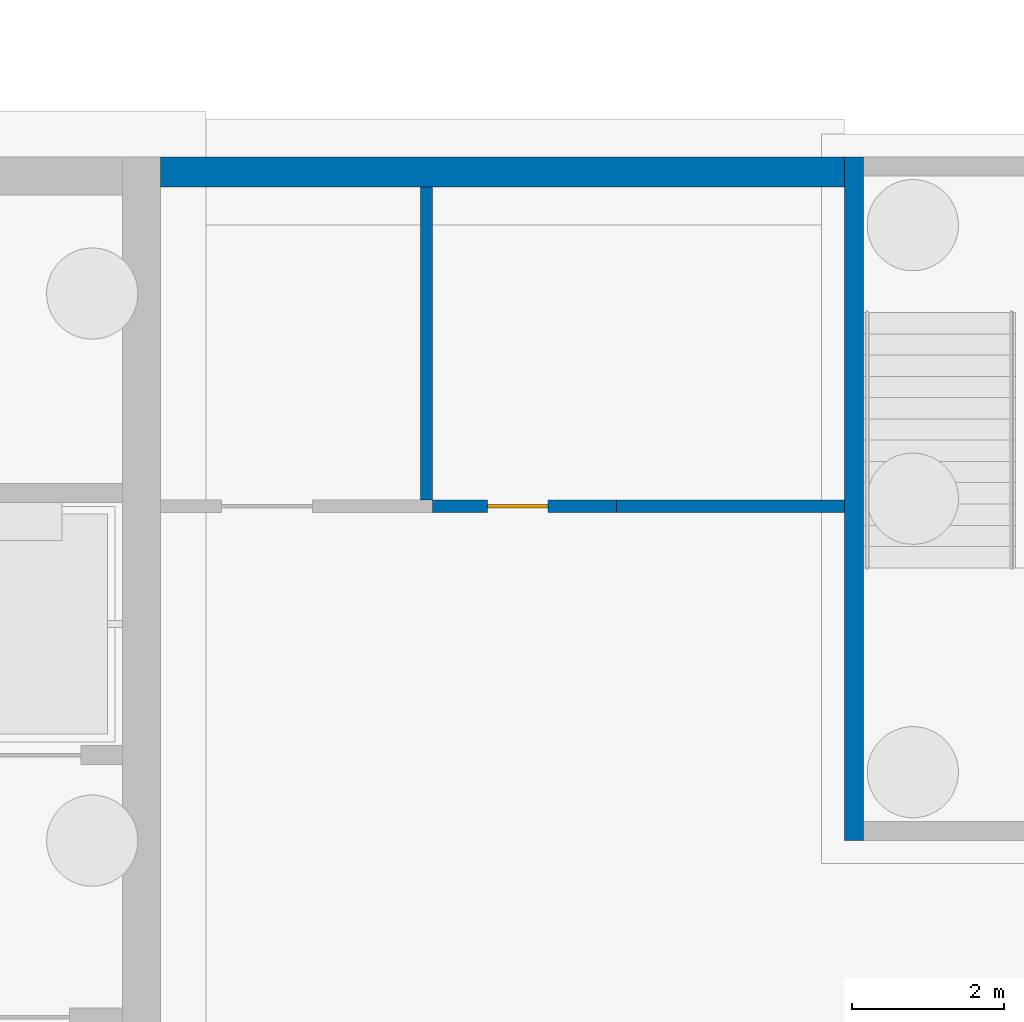
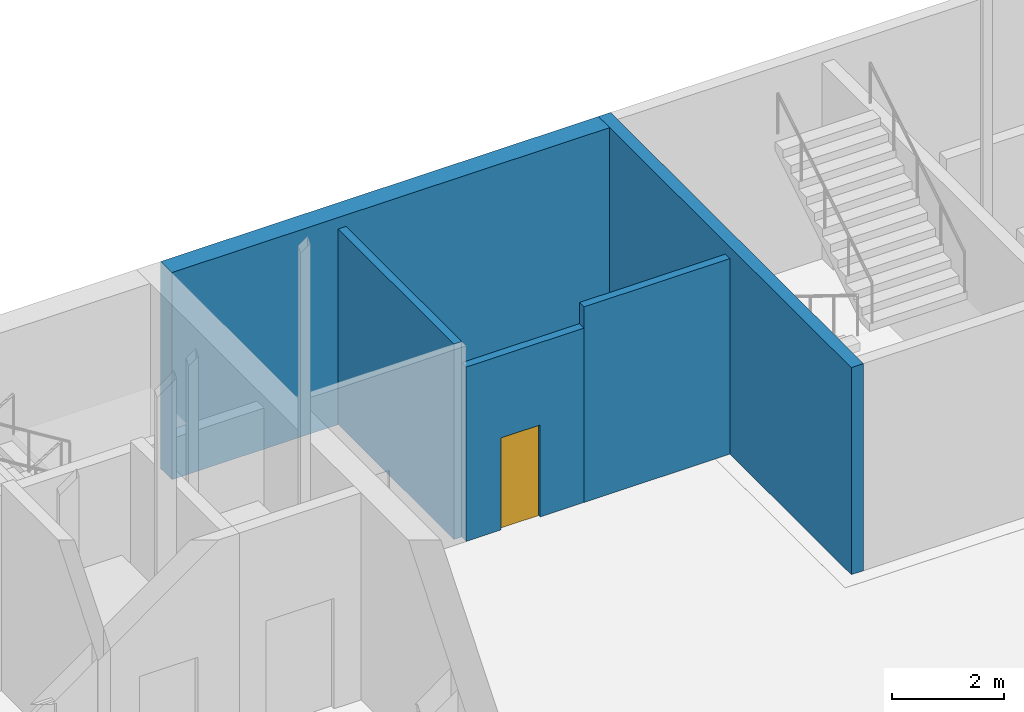
# One storey, part 14 of 41: 5 walls, 1 door, 1 opening.
"""IFC4 building model written with IfcOpenShell, lengths in metres."""

from ifc_helpers import new_model, si_unit, direction, frame, frame_2d, origin, place, context, subcontext, project, spatial, rectangle, extrude, material, layer, layer_set, type_object, element, fill, save


model = new_model("IFC4")

# Units and contexts
model_context = context("Model", 3, precision=1e-05, world=origin(), true_north=direction((0.0, 1.0)))
body_context = subcontext(model_context, "Body", "Model", "MODEL_VIEW")
ifc_project = project(units=[si_unit("LENGTHUNIT", "METRE"), si_unit("AREAUNIT", "SQUARE_METRE"), si_unit("VOLUMEUNIT", "CUBIC_METRE"), si_unit("PLANEANGLEUNIT", "RADIAN"), si_unit("MASSUNIT", "GRAM", prefix="KILO")], contexts=[model_context])

# Site, building, storey
site_placement = place(None, origin())
site = spatial("IfcSite", under=ifc_project, at=site_placement, CompositionType="ELEMENT")
building_placement = place(site_placement, origin())
building = spatial("IfcBuilding", under=site, at=building_placement, Name="Corbel Yard City Hall", CompositionType="ELEMENT")
storey_placement = place(building_placement, frame((0.0, 0.0, -4.5)))
storey = spatial("IfcBuildingStorey", under=building, at=storey_placement, Name="B1", CompositionType="ELEMENT", Elevation=-4.5)

# Wall
ifc_material_1 = material(Name="Concrete N50 (50 MPa)", Category="concrete")
ifc_layer_1 = layer(ifc_material_1, 0.25)
ifc_layer_set_1 = layer_set([ifc_layer_1], Name="Concrete N50 (50 MPa)")
wall_type_1 = type_object("IfcWallType", Name="Core cell wall 250", PredefinedType="SHEAR", material=ifc_layer_set_1)
wall_1_placement = place(storey_placement, frame((63.125, 108.0, 0.0), z_axis=(0.0, 0.0, 1.0), x_axis=(0.0, 1.0, 0.0)))
element("IfcWall", 1, at=wall_1_placement, inside=storey, type_object=wall_type_1, Name="Core PC-N1 west wall", PredefinedType="SHEAR", context=body_context, shape_type="SweptSolid", body=[
    extrude(rectangle(XDim=9.0, YDim=0.25, at=frame_2d((4.5, 0.0))), origin(), (0.0, 0.0, 1.0), 4.5),
])

# Wall, opening, door
ifc_material_2 = material(Name="Gypsum plasterboard", Category="gypsum")
ifc_layer_2 = layer(ifc_material_2, 0.031982421875)
ifc_material_3 = material(Name="Steel Grade G550 (550 MPa yield)", Category="steel")
ifc_layer_3 = layer(ifc_material_3, 0.095947265625)
ifc_layer_4 = layer(ifc_material_2, 0.031982421875)
ifc_layer_set_2 = layer_set([ifc_layer_2, ifc_layer_3, ifc_layer_4], Name="Steel Grade G550 (550 MPa yield)")
wall_type_2 = type_object("IfcWallType", Name="PT3", PredefinedType="PARTITIONING", material=ifc_layer_set_2)
wall_2_placement = place(storey_placement, frame((57.580078125, 112.39990234375, 0.0), z_axis=(0.0, 0.0, 1.0), x_axis=(1.0, 0.0, 0.0)))
wall_2 = element("IfcWall", 2, at=wall_2_placement, inside=storey, type_object=wall_type_2, Name="Fire-resisting wall", PredefinedType="PARTITIONING", context=body_context, shape_type="SweptSolid", body=[
    extrude(rectangle(XDim=2.419921875, YDim=0.159912109375, at=frame_2d((1.2099609375, 0.0))), origin(), (0.0, 0.0, 1.0), 3.7900390625),
])
opening_placement = place(wall_2_placement, frame((0.719970703125, 0.0, 0.0)))
opening = element("IfcOpeningElement", 3, at=opening_placement, cuts=wall_2, Name="Opening B1-039", PredefinedType="OPENING", context=body_context, shape_type="SweptSolid", body=[
    extrude(rectangle(XDim=0.800048828125, YDim=2.0, at=frame_2d((0.39990234375, 1.0))), frame((0.0, 0.08984375, 0.0), z_axis=(0.0, -1.0, 0.0), x_axis=(1.0, 0.0, 0.0)), (0.0, 0.0, 1.0), 0.179931640625),
])
ifc_material_4 = material(Name="Steel Grade G250", Category="steel")
door_type = type_object("IfcDoorType", Name="FD31", OperationType="SINGLE_SWING_LEFT", PredefinedType="DOOR", material=ifc_material_4)
door_placement = place(opening_placement, origin())
door = element("IfcDoor", 4, at=door_placement, inside=storey, type_object=door_type, Name="Door Cleaners' Store", OperationType="SINGLE_SWING_LEFT", OverallHeight=2.0, OverallWidth=0.800048828125, PredefinedType="DOOR", context=body_context, shape_type="SweptSolid", body=[
    extrude(rectangle(XDim=0.800048828125, YDim=2.0, at=frame_2d((0.39990234375, 1.0))), frame((0.0, 0.02490234375, 0.0), z_axis=(0.0, -1.0, 0.0), x_axis=(1.0, 0.0, 0.0)), (0.0, 0.0, 1.0), 0.050048828125),
])
fill(opening, door)

# Walls
wall_3_placement = place(storey_placement, frame((60.0, 112.39990234375, 0.0), z_axis=(0.0, 0.0, 1.0), x_axis=(1.0, 0.0, 0.0)))
element("IfcWall", 5, at=wall_3_placement, inside=storey, type_object=wall_type_2, Name="Fire-resisting wall", PredefinedType="PARTITIONING", context=body_context, shape_type="SweptSolid", body=[
    extrude(rectangle(XDim=3.0, YDim=0.159912109375, at=frame_2d((1.5, 0.0))), origin(), (0.0, 0.0, 1.0), 4.25),
])
wall_4_placement = place(storey_placement, frame((57.5, 112.47998046875, 0.0), z_axis=(0.0, 0.0, 1.0), x_axis=(0.0, 1.0, 0.0)))
element("IfcWall", 6, at=wall_4_placement, inside=storey, type_object=wall_type_2, Name="Fire-resisting wall", PredefinedType="PARTITIONING", context=body_context, shape_type="SweptSolid", body=[
    extrude(rectangle(XDim=4.1201171875, YDim=0.159912109375, at=frame_2d((2.06005859375, 0.0))), origin(), (0.0, 0.0, 1.0), 4.25),
])
ifc_material_5 = material(Name="Concrete N40 (40 MPa)", Category="concrete")
ifc_layer_5 = layer(ifc_material_5, 0.39990234375)
ifc_layer_set_3 = layer_set([ifc_layer_5], Name="Concrete N40 (40 MPa)")
wall_type_3 = type_object("IfcWallType", Name="Retaining wall 400", PredefinedType="SOLIDWALL", material=ifc_layer_set_3)
wall_5_placement = place(storey_placement, frame((54.0, 116.800048828125, 0.0), z_axis=(0.0, 0.0, 1.0), x_axis=(1.0, 0.0, 0.0)))
element("IfcWall", 7, at=wall_5_placement, inside=storey, type_object=wall_type_3, Name="Retaining wall RET-N2", PredefinedType="SOLIDWALL", context=body_context, shape_type="SweptSolid", body=[
    extrude(rectangle(XDim=9.0, YDim=0.39990234375, at=frame_2d((4.5, 0.0))), origin(), (0.0, 0.0, 1.0), 4.5),
])

save(model, "model.ifc")
